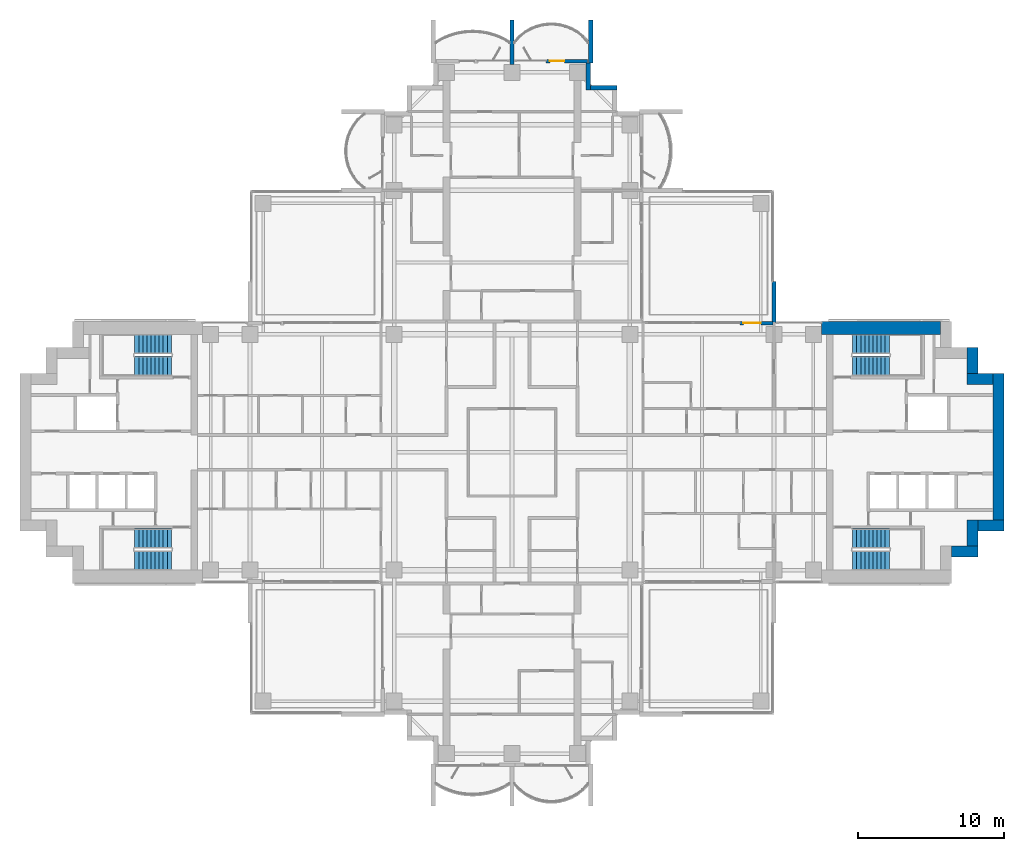
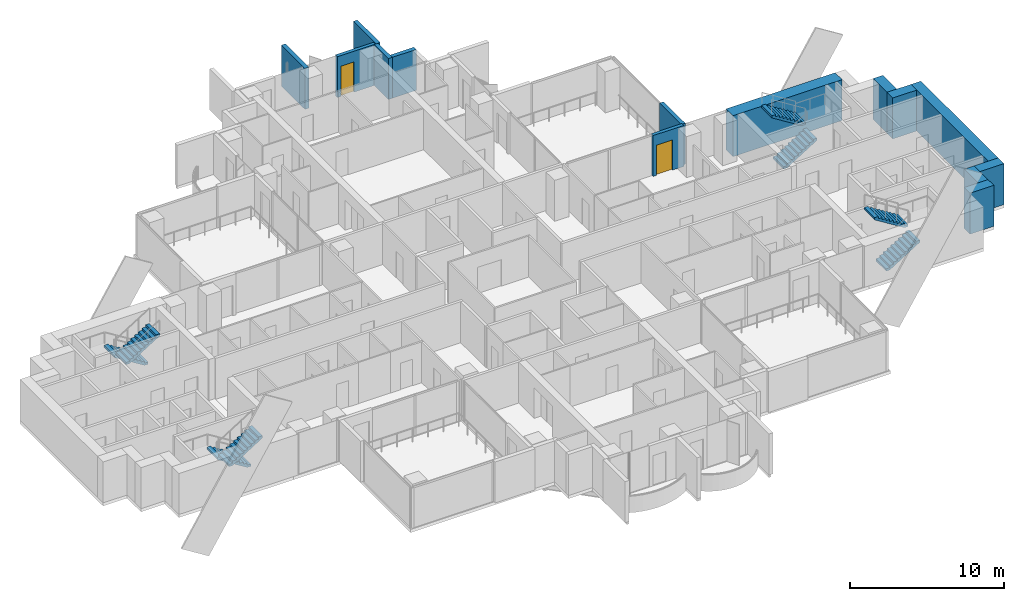
# One storey, part 15 of 19: 14 walls, 8 stair flights, 2 doors, 2 openings, 4 elements without a shape of their own.
"""IFC4 building model written with IfcOpenShell, lengths in metres."""

from ifc_helpers import new_model, si_unit, direction, frame, frame_2d, origin, place, context, subcontext, project, spatial, polyline, rectangle, outline, extrude, material, layer, layer_set, type_object, element, fill, aggregate, save


model = new_model("IFC4")

# Units and contexts
model_context = context("Model", 3, precision=1e-05, world=origin(), true_north=direction((0.0, 1.0)))
body_context = subcontext(model_context, "Body", "Model", "MODEL_VIEW")
ifc_project = project(units=[si_unit("LENGTHUNIT", "METRE"), si_unit("AREAUNIT", "SQUARE_METRE"), si_unit("VOLUMEUNIT", "CUBIC_METRE"), si_unit("PLANEANGLEUNIT", "RADIAN"), si_unit("MASSUNIT", "GRAM", prefix="KILO")], contexts=[model_context])

# Site, building, storey
site_placement = place(None, origin())
site = spatial("IfcSite", under=ifc_project, at=site_placement, CompositionType="ELEMENT")
building_placement = place(site_placement, origin())
building = spatial("IfcBuilding", under=site, at=building_placement, Name="Perihelion Cross Residences", CompositionType="ELEMENT")
storey_placement = place(building_placement, frame((0.0, 0.0, 147.89990234375)))
storey = spatial("IfcBuildingStorey", under=building, at=storey_placement, Name="L36", CompositionType="ELEMENT", Elevation=147.89990234375)

# Wall, opening, door
ifc_material_1 = material(Name="Concrete C30/37, bronze-clad", Category="concrete")
ifc_layer_1 = layer(ifc_material_1, 0.25)
ifc_layer_set_1 = layer_set([ifc_layer_1], Name="Bronze-clad pier wall 250")
wall_type_1 = type_object("IfcWallType", Name="Bronze-clad pier wall 250", PredefinedType="SOLIDWALL", material=ifc_layer_set_1)
wall_1_placement = place(storey_placement, frame((17.93994140625, 8.875, 0.0), z_axis=(0.0, 0.0, 1.0), x_axis=(-1.0, 0.0, 0.0)))
wall_1 = element("IfcWall", 1, at=wall_1_placement, inside=storey, type_object=wall_type_1, Name="Wall FW1 L36 east side north bay 2 pier", PredefinedType="SOLIDWALL", context=body_context, shape_type="SweptSolid", body=[
    extrude(rectangle(XDim=2.2900390625, YDim=0.25, at=frame_2d((1.14501953125, 0.0))), origin(), (0.0, 0.0, 1.0), 3.25),
])
opening_1_placement = place(wall_1_placement, frame((0.840087890625, 0.0, 0.0)))
opening_1 = element("IfcOpeningElement", 2, at=opening_1_placement, cuts=wall_1, Name="Opening L36.E01", PredefinedType="OPENING", context=body_context, shape_type="SweptSolid", body=[
    extrude(rectangle(XDim=1.199951171875, YDim=2.39990234375, at=frame_2d((0.60009765625, 1.199951171875))), frame((0.0, 0.135009765625, 0.0), z_axis=(0.0, -1.0, 0.0), x_axis=(1.0, 0.0, 0.0)), (0.0, 0.0, 1.0), 0.27001953125),
])
ifc_material_2 = material(Name="Bronze anodised aluminium, glazed", Category="aluminium")
door_type_1 = type_object("IfcDoorType", Name="Balcony door 1200 x 2400", OperationType="NOTDEFINED", PredefinedType="DOOR", material=ifc_material_2)
door_1_placement = place(opening_1_placement, origin())
door_1 = element("IfcDoor", 3, at=door_1_placement, inside=storey, type_object=door_type_1, Name="Door L36.E01 east side north bay 2", OperationType="SINGLE_SWING_RIGHT", OverallHeight=2.39990234375, OverallWidth=1.199951171875, PredefinedType="DOOR", context=body_context, shape_type="SweptSolid", body=[
    extrude(rectangle(XDim=1.199951171875, YDim=2.39990234375, at=frame_2d((0.60009765625, 1.199951171875))), frame((0.0, 0.02490234375, 0.0), z_axis=(0.0, -1.0, 0.0), x_axis=(1.0, 0.0, 0.0)), (0.0, 0.0, 1.0), 0.050048828125),
])
fill(opening_1, door_1)

wall_2_placement = place(storey_placement, frame((5.199951171875, 26.875, 0.0), z_axis=(0.0, 0.0, 1.0), x_axis=(-1.0, 0.0, 0.0)))
wall_2 = element("IfcWall", 4, at=wall_2_placement, inside=storey, type_object=wall_type_1, Name="Wall FW1 L36 north tip north bay 1 pier", PredefinedType="SOLIDWALL", context=body_context, shape_type="SweptSolid", body=[
    extrude(rectangle(XDim=2.849853515625, YDim=0.25, at=frame_2d((1.4248046875, 0.0))), origin(), (0.0, 0.0, 1.0), 3.25),
])
opening_2_placement = place(wall_2_placement, frame((1.60009765625, 0.0, 0.0)))
opening_2 = element("IfcOpeningElement", 5, at=opening_2_placement, cuts=wall_2, Name="Opening L36.E04", PredefinedType="OPENING", context=body_context, shape_type="SweptSolid", body=[
    extrude(rectangle(XDim=1.0, YDim=2.39990234375, at=frame_2d((0.5, 1.199951171875))), frame((0.0, 0.135009765625, 0.0), z_axis=(0.0, -1.0, 0.0), x_axis=(1.0, 0.0, 0.0)), (0.0, 0.0, 1.0), 0.27001953125),
])
ifc_material_3 = material(Name="Bronze anodised aluminium, glazed", Category="aluminium")
door_type_2 = type_object("IfcDoorType", Name="Balcony door 1000 x 2400", OperationType="NOTDEFINED", PredefinedType="DOOR", material=ifc_material_3)
door_2_placement = place(opening_2_placement, origin())
door_2 = element("IfcDoor", 6, at=door_2_placement, inside=storey, type_object=door_type_2, Name="Door L36.E04 north tip north bay 1", OperationType="SINGLE_SWING_LEFT", OverallHeight=2.39990234375, OverallWidth=1.0, PredefinedType="DOOR", context=body_context, shape_type="SweptSolid", body=[
    extrude(rectangle(XDim=1.0, YDim=2.39990234375, at=frame_2d((0.5, 1.199951171875))), frame((0.0, 0.02490234375, 0.0), z_axis=(0.0, -1.0, 0.0), x_axis=(1.0, 0.0, 0.0)), (0.0, 0.0, 1.0), 0.050048828125),
])
fill(opening_2, door_2)

# Walls
ifc_material_4 = material(Name="Concrete C30/37, bronze-clad", Category="concrete")
ifc_layer_2 = layer(ifc_material_4, 0.300048828125)
ifc_layer_set_2 = layer_set([ifc_layer_2], Name="Bronze-clad serration wall 300")
wall_type_2 = type_object("IfcWallType", Name="Bronze-clad serration wall 300", PredefinedType="SOLIDWALL", material=ifc_layer_set_2)
wall_3_placement = place(storey_placement, frame((7.199951171875, 25.050048828125, 0.0), z_axis=(0.0, 0.0, 1.0), x_axis=(-1.0, 0.0, 0.0)))
element("IfcWall", 7, at=wall_3_placement, inside=storey, type_object=wall_type_2, Name="Wall SR1 L36 north corner north-east 3", PredefinedType="SOLIDWALL", context=body_context, shape_type="SweptSolid", body=[
    extrude(rectangle(XDim=1.800048828125, YDim=0.300048828125, at=frame_2d((0.89990234375, 0.0))), origin(), (0.0, 0.0, 1.0), 3.25),
])
wall_4_placement = place(storey_placement, frame((5.25, 24.89990234375, 0.0), z_axis=(0.0, 0.0, 1.0), x_axis=(0.0, 1.0, 0.0)))
element("IfcWall", 8, at=wall_4_placement, inside=storey, type_object=wall_type_2, Name="Wall SR1 L36 north corner north-east 4", PredefinedType="SOLIDWALL", context=body_context, shape_type="SweptSolid", body=[
    extrude(rectangle(XDim=1.85009765625, YDim=0.300048828125, at=frame_2d((0.925048828125, 0.0))), origin(), (0.0, 0.0, 1.0), 3.25),
])
ifc_material_5 = material(Name="Concrete C60/75", Category="concrete")
ifc_layer_3 = layer(ifc_material_5, 0.75)
ifc_layer_set_3 = layer_set([ifc_layer_3], Name="Core wall, outer 750")
wall_type_3 = type_object("IfcWallType", Name="Core wall, outer 750", PredefinedType="SHEAR", material=ifc_layer_set_3)
for number, where, z_axis, x_axis, name in (
    (9, (30.199951171875, -6.824951171875, 0.0), (0.0, 0.0, 1.0), (1.0, 0.0, 0.0), "East core core wall, outer"),
    (10, (31.625, -6.449951171875, 0.0), (0.0, 0.0, 1.0), (0.0, 1.0, 0.0), "East core core wall, outer"),
    (11, (32.0, -5.02490234375, 0.0), (0.0, 0.0, 1.0), (1.0, 0.0, 0.0), "East core core wall, outer"),
):
    element("IfcWall", number, at=place(storey_placement, frame(where, z_axis=z_axis, x_axis=x_axis)), inside=storey, type_object=wall_type_3, Name=name, PredefinedType="SHEAR", context=body_context, shape_type="SweptSolid", body=[
        extrude(rectangle(XDim=1.800048828125, YDim=0.75, at=frame_2d((0.89990234375, 0.0))), origin(), (0.0, 0.0, 1.0), 3.25),
    ])
wall_5_placement = place(storey_placement, frame((33.425048828125, -4.64990234375, 0.0), z_axis=(0.0, 0.0, 1.0), x_axis=(0.0, 1.0, 0.0)))
element("IfcWall", 12, at=wall_5_placement, inside=storey, type_object=wall_type_3, Name="East core core wall, outer", PredefinedType="SHEAR", context=body_context, shape_type="SweptSolid", body=[
    extrude(rectangle(XDim=10.0498046875, YDim=0.75, at=frame_2d((5.02490234375, 0.0))), origin(), (0.0, 0.0, 1.0), 3.25),
])
for number, where, z_axis, x_axis, name in (
    (13, (31.25, 5.02490234375, 0.0), (0.0, 0.0, 1.0), (1.0, 0.0, 0.0), "East core core wall, outer"),
    (14, (31.625, 5.39990234375, 0.0), (0.0, 0.0, 1.0), (0.0, 1.0, 0.0), "East core core wall, outer"),
):
    element("IfcWall", number, at=place(storey_placement, frame(where, z_axis=z_axis, x_axis=x_axis)), inside=storey, type_object=wall_type_3, Name=name, PredefinedType="SHEAR", context=body_context, shape_type="SweptSolid", body=[
        extrude(rectangle(XDim=1.800048828125, YDim=0.75, at=frame_2d((0.89990234375, 0.0))), origin(), (0.0, 0.0, 1.0), 3.25),
    ])
ifc_material_6 = material(Name="Concrete C60/75", Category="concrete")
ifc_layer_4 = layer(ifc_material_6, 0.89990234375)
ifc_layer_set_4 = layer_set([ifc_layer_4], Name="Core wall, outer 900")
wall_type_4 = type_object("IfcWallType", Name="Core wall, outer 900", PredefinedType="SHEAR", material=ifc_layer_set_4)
wall_6_placement = place(storey_placement, frame((21.25, 8.550048828125, 0.0), z_axis=(0.0, 0.0, 1.0), x_axis=(1.0, 0.0, 0.0)))
element("IfcWall", 15, at=wall_6_placement, inside=storey, type_object=wall_type_4, Name="East core core wall, outer", PredefinedType="SHEAR", context=body_context, shape_type="SweptSolid", body=[
    extrude(rectangle(XDim=8.199951171875, YDim=0.89990234375, at=frame_2d((4.10009765625, 0.0))), origin(), (0.0, 0.0, 1.0), 3.25),
])
ifc_material_7 = material(Name="Precast concrete C50/60", Category="concrete")
ifc_layer_5 = layer(ifc_material_7, 0.300048828125)
ifc_layer_set_5 = layer_set([ifc_layer_5], Name="Precast concrete C50/60 blade wall 300")
wall_type_5 = type_object("IfcWallType", Name="Precast concrete C50/60 blade wall 300", PredefinedType="SOLIDWALL", material=ifc_layer_set_5)
wall_7_placement = place(storey_placement, frame((0.0, 26.64990234375, 0.0), z_axis=(0.0, 0.0, 1.0), x_axis=(0.0, 1.0, 0.0)))
element("IfcWall", 16, at=wall_7_placement, inside=storey, type_object=wall_type_5, Name="Wall BL1 L36 no. 9", PredefinedType="SOLIDWALL", context=body_context, shape_type="SweptSolid", body=[
    extrude(rectangle(XDim=3.050048828125, YDim=0.300048828125, at=frame_2d((1.52490234375, 0.0))), origin(), (0.0, 0.0, 1.0), 3.25),
])
wall_8_placement = place(storey_placement, frame((5.39990234375, 26.75, 0.0), z_axis=(0.0, 0.0, 1.0), x_axis=(0.0, 1.0, 0.0)))
element("IfcWall", 17, at=wall_8_placement, inside=storey, type_object=wall_type_5, Name="Wall BL1 L36 no. 13", PredefinedType="SOLIDWALL", context=body_context, shape_type="SweptSolid", body=[
    extrude(rectangle(XDim=2.949951171875, YDim=0.300048828125, at=frame_2d((1.47509765625, 0.0))), origin(), (0.0, 0.0, 1.0), 3.25),
])
wall_9_placement = place(storey_placement, frame((18.0, 8.919921875, 0.0), z_axis=(0.0, 0.0, 1.0), x_axis=(0.0, 1.0, 0.0)))
element("IfcWall", 18, at=wall_9_placement, inside=storey, type_object=wall_type_5, Name="Wall BL1 L36 no. 11", PredefinedType="SOLIDWALL", context=body_context, shape_type="SweptSolid", body=[
    extrude(rectangle(XDim=2.820068359375, YDim=0.300048828125, at=frame_2d((1.41015625, 0.0))), origin(), (0.0, 0.0, 1.0), 3.25),
])

# Stair, stair flights
ifc_material_8 = material(Name="Concrete C40/50", Category="concrete")
stair_type = type_object("IfcStairType", Name="Exit stair, half-turn", PredefinedType="HALF_TURN_STAIR", material=ifc_material_8)
stair_1_placement = place(storey_placement, origin())
stair_1 = element("IfcStair", 19, at=stair_1_placement, inside=storey, type_object=stair_type, Name="L36 East core exit stair 1", PredefinedType="HALF_TURN_STAIR")
ifc_material_9 = material(Name="Concrete C40/50", Category="concrete")
stair_flight_type = type_object("IfcStairFlightType", Name="Exit stair flight", PredefinedType="STRAIGHT", material=ifc_material_9)
stair_flight_1_placement = place(storey_placement, frame((23.39990234375, 5.925048828125, 0.0), z_axis=(0.0, 0.0, 1.0), x_axis=(1.0, 0.0, 0.0)))
stair_flight_1 = element("IfcStairFlight", 20, at=stair_flight_1_placement, type_object=stair_flight_type, Name="ST-E1 flight 1", NumberOfRisers=10, NumberOfTreads=9, PredefinedType="STRAIGHT", RiserHeight=0.175, TreadLength=0.28, context=body_context, shape_type="SweptSolid", body=[
    extrude(outline(polyline([(0.0, 0.0), (0.0, 0.175048828125), (0.280029296875, 0.175048828125), (0.280029296875, 0.35009765625), (0.56005859375, 0.35009765625), (0.56005859375, 0.52490234375), (0.840087890625, 0.52490234375), (0.840087890625, 0.699951171875), (1.1201171875, 0.699951171875), (1.1201171875, 0.875), (1.39990234375, 0.875), (1.39990234375, 1.050048828125), (1.679931640625, 1.050048828125), (1.679931640625, 1.22509765625), (1.9599609375, 1.22509765625), (1.9599609375, 1.39990234375), (2.239990234375, 1.39990234375), (2.239990234375, 1.574951171875), (2.52001953125, 1.574951171875), (2.52001953125, 1.75), (2.52001953125, 1.398193359375), (0.28271484375, 0.0), (0.0, 0.0)])), frame((0.0, 0.675048828125, 0.0), z_axis=(0.0, -1.0, 0.0), x_axis=(1.0, 0.0, 0.0)), (0.0, 0.0, 1.0), 1.35009765625),
])
stair_flight_2_placement = place(storey_placement, frame((25.919921875, 7.425048828125, 1.75), z_axis=(0.0, 0.0, 1.0), x_axis=(-1.0, 0.0, 0.0)))
stair_flight_2 = element("IfcStairFlight", 21, at=stair_flight_2_placement, type_object=stair_flight_type, Name="ST-E1 flight 2", NumberOfRisers=10, NumberOfTreads=9, PredefinedType="STRAIGHT", RiserHeight=0.175, TreadLength=0.28, context=body_context, shape_type="SweptSolid", body=[
    extrude(outline(polyline([(0.0, 0.0), (0.0, 0.175048828125), (0.280029296875, 0.175048828125), (0.280029296875, 0.35009765625), (0.56005859375, 0.35009765625), (0.56005859375, 0.52490234375), (0.840087890625, 0.52490234375), (0.840087890625, 0.699951171875), (1.1201171875, 0.699951171875), (1.1201171875, 0.875), (1.39990234375, 0.875), (1.39990234375, 1.050048828125), (1.679931640625, 1.050048828125), (1.679931640625, 1.22509765625), (1.9599609375, 1.22509765625), (1.9599609375, 1.39990234375), (2.239990234375, 1.39990234375), (2.239990234375, 1.574951171875), (2.52001953125, 1.574951171875), (2.52001953125, 1.75), (2.52001953125, 1.398193359375), (0.28271484375, 0.0), (0.0, 0.0)])), frame((0.0, 0.675048828125, 0.0), z_axis=(0.0, -1.0, 0.0), x_axis=(1.0, 0.0, 0.0)), (0.0, 0.0, 1.0), 1.35009765625),
])
aggregate(stair_1, [stair_flight_1, stair_flight_2])

stair_2_placement = place(storey_placement, origin())
stair_2 = element("IfcStair", 22, at=stair_2_placement, inside=storey, type_object=stair_type, Name="L36 East core exit stair 2", PredefinedType="HALF_TURN_STAIR")
stair_flight_3_placement = place(storey_placement, frame((23.39990234375, -7.425048828125, 0.0), z_axis=(0.0, 0.0, 1.0), x_axis=(1.0, 0.0, 0.0)))
stair_flight_3 = element("IfcStairFlight", 23, at=stair_flight_3_placement, type_object=stair_flight_type, Name="ST-E2 flight 1", NumberOfRisers=10, NumberOfTreads=9, PredefinedType="STRAIGHT", RiserHeight=0.175, TreadLength=0.28, context=body_context, shape_type="SweptSolid", body=[
    extrude(outline(polyline([(0.0, 0.0), (0.0, 0.175048828125), (0.280029296875, 0.175048828125), (0.280029296875, 0.35009765625), (0.56005859375, 0.35009765625), (0.56005859375, 0.52490234375), (0.840087890625, 0.52490234375), (0.840087890625, 0.699951171875), (1.1201171875, 0.699951171875), (1.1201171875, 0.875), (1.39990234375, 0.875), (1.39990234375, 1.050048828125), (1.679931640625, 1.050048828125), (1.679931640625, 1.22509765625), (1.9599609375, 1.22509765625), (1.9599609375, 1.39990234375), (2.239990234375, 1.39990234375), (2.239990234375, 1.574951171875), (2.52001953125, 1.574951171875), (2.52001953125, 1.75), (2.52001953125, 1.398193359375), (0.28271484375, 0.0), (0.0, 0.0)])), frame((0.0, 0.675048828125, 0.0), z_axis=(0.0, -1.0, 0.0), x_axis=(1.0, 0.0, 0.0)), (0.0, 0.0, 1.0), 1.35009765625),
])
stair_flight_4_placement = place(storey_placement, frame((25.919921875, -5.925048828125, 1.75), z_axis=(0.0, 0.0, 1.0), x_axis=(-1.0, 0.0, 0.0)))
stair_flight_4 = element("IfcStairFlight", 24, at=stair_flight_4_placement, type_object=stair_flight_type, Name="ST-E2 flight 2", NumberOfRisers=10, NumberOfTreads=9, PredefinedType="STRAIGHT", RiserHeight=0.175, TreadLength=0.28, context=body_context, shape_type="SweptSolid", body=[
    extrude(outline(polyline([(0.0, 0.0), (0.0, 0.175048828125), (0.280029296875, 0.175048828125), (0.280029296875, 0.35009765625), (0.56005859375, 0.35009765625), (0.56005859375, 0.52490234375), (0.840087890625, 0.52490234375), (0.840087890625, 0.699951171875), (1.1201171875, 0.699951171875), (1.1201171875, 0.875), (1.39990234375, 0.875), (1.39990234375, 1.050048828125), (1.679931640625, 1.050048828125), (1.679931640625, 1.22509765625), (1.9599609375, 1.22509765625), (1.9599609375, 1.39990234375), (2.239990234375, 1.39990234375), (2.239990234375, 1.574951171875), (2.52001953125, 1.574951171875), (2.52001953125, 1.75), (2.52001953125, 1.398193359375), (0.28271484375, 0.0), (0.0, 0.0)])), frame((0.0, 0.675048828125, 0.0), z_axis=(0.0, -1.0, 0.0), x_axis=(1.0, 0.0, 0.0)), (0.0, 0.0, 1.0), 1.35009765625),
])
aggregate(stair_2, [stair_flight_3, stair_flight_4])

stair_3_placement = place(storey_placement, origin())
stair_3 = element("IfcStair", 25, at=stair_3_placement, inside=storey, type_object=stair_type, Name="L36 West core exit stair 1", PredefinedType="HALF_TURN_STAIR")
stair_flight_5_placement = place(storey_placement, frame((-23.39990234375, 7.425048828125, 0.0), z_axis=(0.0, 0.0, 1.0), x_axis=(-1.0, 0.0, 0.0)))
stair_flight_5 = element("IfcStairFlight", 26, at=stair_flight_5_placement, type_object=stair_flight_type, Name="ST-W1 flight 1", NumberOfRisers=10, NumberOfTreads=9, PredefinedType="STRAIGHT", RiserHeight=0.175, TreadLength=0.28, context=body_context, shape_type="SweptSolid", body=[
    extrude(outline(polyline([(0.0, 0.0), (0.0, 0.175048828125), (0.280029296875, 0.175048828125), (0.280029296875, 0.35009765625), (0.56005859375, 0.35009765625), (0.56005859375, 0.52490234375), (0.840087890625, 0.52490234375), (0.840087890625, 0.699951171875), (1.1201171875, 0.699951171875), (1.1201171875, 0.875), (1.39990234375, 0.875), (1.39990234375, 1.050048828125), (1.679931640625, 1.050048828125), (1.679931640625, 1.22509765625), (1.9599609375, 1.22509765625), (1.9599609375, 1.39990234375), (2.239990234375, 1.39990234375), (2.239990234375, 1.574951171875), (2.52001953125, 1.574951171875), (2.52001953125, 1.75), (2.52001953125, 1.398193359375), (0.28271484375, 0.0), (0.0, 0.0)])), frame((0.0, 0.675048828125, 0.0), z_axis=(0.0, -1.0, 0.0), x_axis=(1.0, 0.0, 0.0)), (0.0, 0.0, 1.0), 1.35009765625),
])
stair_flight_6_placement = place(storey_placement, frame((-25.919921875, 5.925048828125, 1.75), z_axis=(0.0, 0.0, 1.0), x_axis=(1.0, 0.0, 0.0)))
stair_flight_6 = element("IfcStairFlight", 27, at=stair_flight_6_placement, type_object=stair_flight_type, Name="ST-W1 flight 2", NumberOfRisers=10, NumberOfTreads=9, PredefinedType="STRAIGHT", RiserHeight=0.175, TreadLength=0.28, context=body_context, shape_type="SweptSolid", body=[
    extrude(outline(polyline([(0.0, 0.0), (0.0, 0.175048828125), (0.280029296875, 0.175048828125), (0.280029296875, 0.35009765625), (0.56005859375, 0.35009765625), (0.56005859375, 0.52490234375), (0.840087890625, 0.52490234375), (0.840087890625, 0.699951171875), (1.1201171875, 0.699951171875), (1.1201171875, 0.875), (1.39990234375, 0.875), (1.39990234375, 1.050048828125), (1.679931640625, 1.050048828125), (1.679931640625, 1.22509765625), (1.9599609375, 1.22509765625), (1.9599609375, 1.39990234375), (2.239990234375, 1.39990234375), (2.239990234375, 1.574951171875), (2.52001953125, 1.574951171875), (2.52001953125, 1.75), (2.52001953125, 1.398193359375), (0.28271484375, 0.0), (0.0, 0.0)])), frame((0.0, 0.675048828125, 0.0), z_axis=(0.0, -1.0, 0.0), x_axis=(1.0, 0.0, 0.0)), (0.0, 0.0, 1.0), 1.35009765625),
])
aggregate(stair_3, [stair_flight_5, stair_flight_6])

stair_4_placement = place(storey_placement, origin())
stair_4 = element("IfcStair", 28, at=stair_4_placement, inside=storey, type_object=stair_type, Name="L36 West core exit stair 2", PredefinedType="HALF_TURN_STAIR")
stair_flight_7_placement = place(storey_placement, frame((-23.39990234375, -5.925048828125, 0.0), z_axis=(0.0, 0.0, 1.0), x_axis=(-1.0, 0.0, 0.0)))
stair_flight_7 = element("IfcStairFlight", 29, at=stair_flight_7_placement, type_object=stair_flight_type, Name="ST-W2 flight 1", NumberOfRisers=10, NumberOfTreads=9, PredefinedType="STRAIGHT", RiserHeight=0.175, TreadLength=0.28, context=body_context, shape_type="SweptSolid", body=[
    extrude(outline(polyline([(0.0, 0.0), (0.0, 0.175048828125), (0.280029296875, 0.175048828125), (0.280029296875, 0.35009765625), (0.56005859375, 0.35009765625), (0.56005859375, 0.52490234375), (0.840087890625, 0.52490234375), (0.840087890625, 0.699951171875), (1.1201171875, 0.699951171875), (1.1201171875, 0.875), (1.39990234375, 0.875), (1.39990234375, 1.050048828125), (1.679931640625, 1.050048828125), (1.679931640625, 1.22509765625), (1.9599609375, 1.22509765625), (1.9599609375, 1.39990234375), (2.239990234375, 1.39990234375), (2.239990234375, 1.574951171875), (2.52001953125, 1.574951171875), (2.52001953125, 1.75), (2.52001953125, 1.398193359375), (0.28271484375, 0.0), (0.0, 0.0)])), frame((0.0, 0.675048828125, 0.0), z_axis=(0.0, -1.0, 0.0), x_axis=(1.0, 0.0, 0.0)), (0.0, 0.0, 1.0), 1.35009765625),
])
stair_flight_8_placement = place(storey_placement, frame((-25.919921875, -7.425048828125, 1.75), z_axis=(0.0, 0.0, 1.0), x_axis=(1.0, 0.0, 0.0)))
stair_flight_8 = element("IfcStairFlight", 30, at=stair_flight_8_placement, type_object=stair_flight_type, Name="ST-W2 flight 2", NumberOfRisers=10, NumberOfTreads=9, PredefinedType="STRAIGHT", RiserHeight=0.175, TreadLength=0.28, context=body_context, shape_type="SweptSolid", body=[
    extrude(outline(polyline([(0.0, 0.0), (0.0, 0.175048828125), (0.280029296875, 0.175048828125), (0.280029296875, 0.35009765625), (0.56005859375, 0.35009765625), (0.56005859375, 0.52490234375), (0.840087890625, 0.52490234375), (0.840087890625, 0.699951171875), (1.1201171875, 0.699951171875), (1.1201171875, 0.875), (1.39990234375, 0.875), (1.39990234375, 1.050048828125), (1.679931640625, 1.050048828125), (1.679931640625, 1.22509765625), (1.9599609375, 1.22509765625), (1.9599609375, 1.39990234375), (2.239990234375, 1.39990234375), (2.239990234375, 1.574951171875), (2.52001953125, 1.574951171875), (2.52001953125, 1.75), (2.52001953125, 1.398193359375), (0.28271484375, 0.0), (0.0, 0.0)])), frame((0.0, 0.675048828125, 0.0), z_axis=(0.0, -1.0, 0.0), x_axis=(1.0, 0.0, 0.0)), (0.0, 0.0, 1.0), 1.35009765625),
])
aggregate(stair_4, [stair_flight_7, stair_flight_8])

save(model, "model.ifc")
